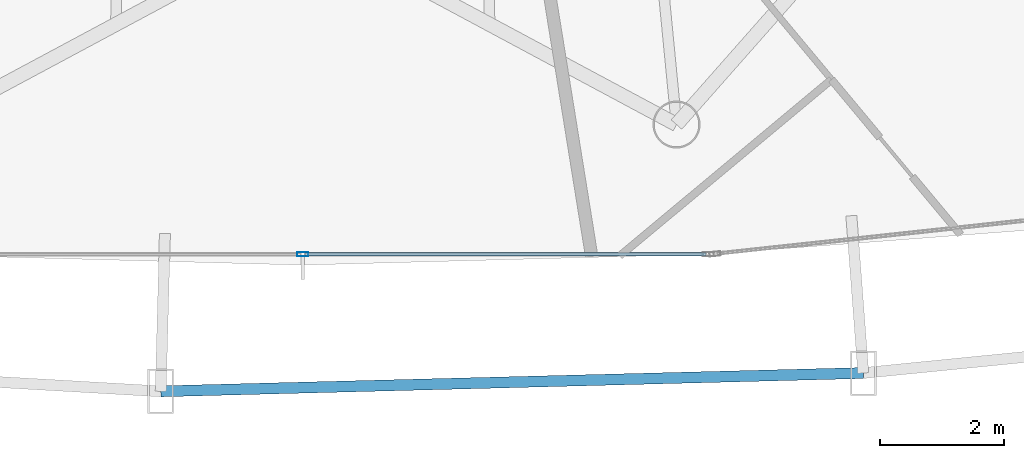
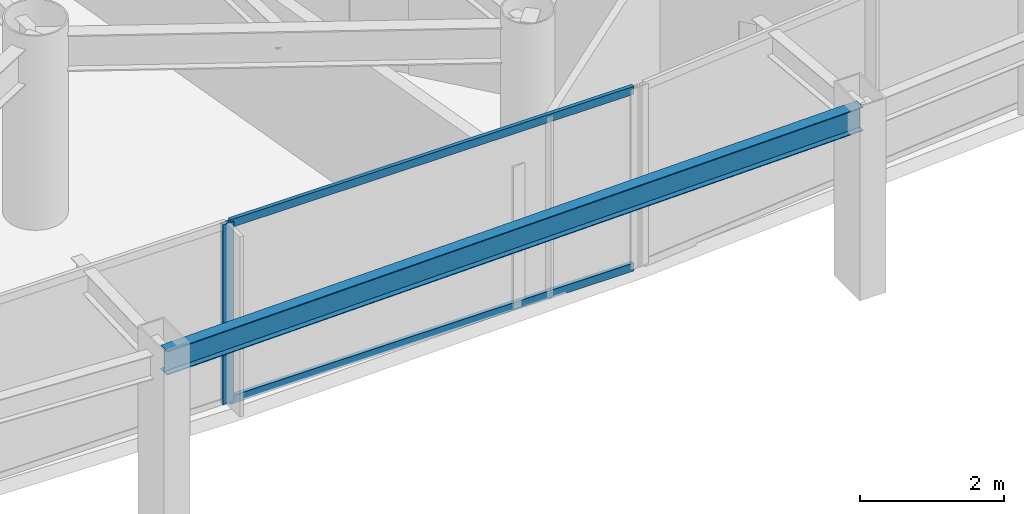
# One storey, part 7 of 38: 3 members, 1 beam, 1 element without a shape of its own.
"""IFC4 building model written with IfcOpenShell, lengths in metres."""

from ifc_helpers import new_model, si_unit, direction, frame, origin, origin_2d, place, context, subcontext, project, spatial, hollow_rectangle, i_section, extrude, material, layer, layer_set, material_profile, profile_set, type_object, element, aggregate, save


model = new_model("IFC4")

# Units and contexts
model_context = context("Model", 3, precision=1e-05, world=origin(), true_north=direction((0.0, 1.0)))
body_context = subcontext(model_context, "Body", "Model", "MODEL_VIEW")
ifc_project = project(units=[si_unit("LENGTHUNIT", "METRE"), si_unit("AREAUNIT", "SQUARE_METRE"), si_unit("VOLUMEUNIT", "CUBIC_METRE"), si_unit("PLANEANGLEUNIT", "RADIAN"), si_unit("MASSUNIT", "GRAM", prefix="KILO")], contexts=[model_context])

# Site, building, storey
site_placement = place(None, origin())
site = spatial("IfcSite", under=ifc_project, at=site_placement, CompositionType="ELEMENT")
building_placement = place(site_placement, origin())
building = spatial("IfcBuilding", under=site, at=building_placement, Name="Orvanel Arch Residences", CompositionType="ELEMENT")
storey_placement = place(building_placement, frame((0.0, 0.0, 46.699951171875)))
storey = spatial("IfcBuildingStorey", under=building, at=storey_placement, Name="L12", CompositionType="ELEMENT", Elevation=46.699951171875)

# Curtain wall, member
ifc_material_1 = material(Name="Bronze-anodised aluminium AA6063-T6", Category="aluminium")
ifc_layer = layer(ifc_material_1, 0.179931640625)
ifc_layer_set = layer_set([ifc_layer], Name="Bronze-anodised aluminium AA6063-T6")
curtain_wall_type = type_object("IfcCurtainWallType", Name="CW2-LOW-SYS", PredefinedType="NOTDEFINED", material=ifc_layer_set)
curtain_wall_placement = place(storey_placement, origin())
curtain_wall = element("IfcCurtainWall", 1, at=curtain_wall_placement, inside=storey, type_object=curtain_wall_type, Name="L12 CW2-LOW-SYS Unitised Curtain Wall", PredefinedType="NOTDEFINED")
ifc_material_profile_1 = material_profile(ifc_material_1, hollow_rectangle(XDim=0.070068359375, YDim=0.179931640625, WallThickness=0.00439453125, at=origin_2d()), Name="ALU180x70x4.5")
ifc_profile_set_1 = profile_set([ifc_material_profile_1], Name="Bronze-anodised aluminium AA6063-T6")
member_type_1 = type_object("IfcMemberType", Name="MUL-180x70", PredefinedType="MULLION", material=ifc_profile_set_1)
member_1_placement = place(storey_placement, frame((33.0, 1.508056640625, 0.0), z_axis=(0.0, 0.0, 1.0), x_axis=(0.0, 1.0, 0.0)))
member_1 = element("IfcMember", 2, at=member_1_placement, type_object=member_type_1, Name="CW-S2 mullion 2", PredefinedType="MULLION", context=body_context, shape_type="SweptSolid", body=[
    extrude(hollow_rectangle(XDim=0.070068359375, YDim=0.179931640625, WallThickness=0.00439453125, at=origin_2d()), origin(), (0.0, 0.0, 1.0), 3.06005859375),
])

# Beam
ifc_material_2 = material(Name="Structural steel AS/NZS 3679.1 Grade 300 (300 MPa)", Category="steel")
ifc_material_profile_2 = material_profile(ifc_material_2, i_section(OverallWidth=0.177978515625, OverallDepth=0.406005859375, WebThickness=0.0078125, FlangeThickness=0.0126953125, at=origin_2d()), Name="410UB59.7")
ifc_profile_set_2 = profile_set([ifc_material_profile_2], Name="Structural steel AS/NZS 3679.1 Grade 300 (300 MPa)")
beam_type = type_object("IfcBeamType", Name="OB-410UB-EXT", PredefinedType="SPANDREL", material=ifc_profile_set_2)
beam_placement = place(storey_placement, frame((30.7041015625, -0.7080078125, 2.85693359375), z_axis=(0.999660756032, 0.026045591735, 0.0), x_axis=(-0.026045591735, 0.999660756032, 0.0)))
element("IfcBeam", 3, at=beam_placement, inside=storey, type_object=beam_type, Name="L12 Outer Perimeter Floor Ring Beam 06", PredefinedType="SPANDREL", context=body_context, shape_type="SweptSolid", body=[
    extrude(i_section(OverallWidth=0.177978515625, OverallDepth=0.406005859375, WebThickness=0.0078125, FlangeThickness=0.0126953125, at=origin_2d()), origin(), (0.0, 0.0, 1.0), 11.36083984375),
])

# Member
ifc_material_profile_3 = material_profile(ifc_material_1, hollow_rectangle(XDim=0.06005859375, YDim=0.135009765625, WallThickness=0.00390625, at=origin_2d()), Name="ALU135x60x4")
ifc_profile_set_3 = profile_set([ifc_material_profile_3], Name="Bronze-anodised aluminium AA6063-T6")
member_type_2 = type_object("IfcMemberType", Name="TRN-135x60", PredefinedType="USERDEFINED", material=ifc_profile_set_3)
member_2_placement = place(storey_placement, frame((33.034912109375, 1.508056640625, 0.030029296875), z_axis=(1.0, 0.0, 0.0), x_axis=(0.0, 1.0, 0.0)))
member_2 = element("IfcMember", 4, at=member_2_placement, type_object=member_type_2, Name="CW-S2 transom 2.1", ObjectType="TRANSOM", PredefinedType="USERDEFINED", context=body_context, shape_type="SweptSolid", body=[
    extrude(hollow_rectangle(XDim=0.06005859375, YDim=0.135009765625, WallThickness=0.00390625, at=origin_2d()), origin(), (0.0, 0.0, 1.0), 6.486083984375),
])

member_3_placement = place(storey_placement, frame((33.034912109375, 1.508056640625, 3.030029296875), z_axis=(1.0, 0.0, 0.0), x_axis=(0.0, 1.0, 0.0)))
member_3 = element("IfcMember", 5, at=member_3_placement, type_object=member_type_2, Name="CW-S2 transom 2.2", ObjectType="TRANSOM", PredefinedType="USERDEFINED", context=body_context, shape_type="SweptSolid", body=[
    extrude(hollow_rectangle(XDim=0.06005859375, YDim=0.135009765625, WallThickness=0.00390625, at=origin_2d()), origin(), (0.0, 0.0, 1.0), 6.486083984375),
])

aggregate(curtain_wall, [member_1, member_2, member_3])

save(model, "model.ifc")
